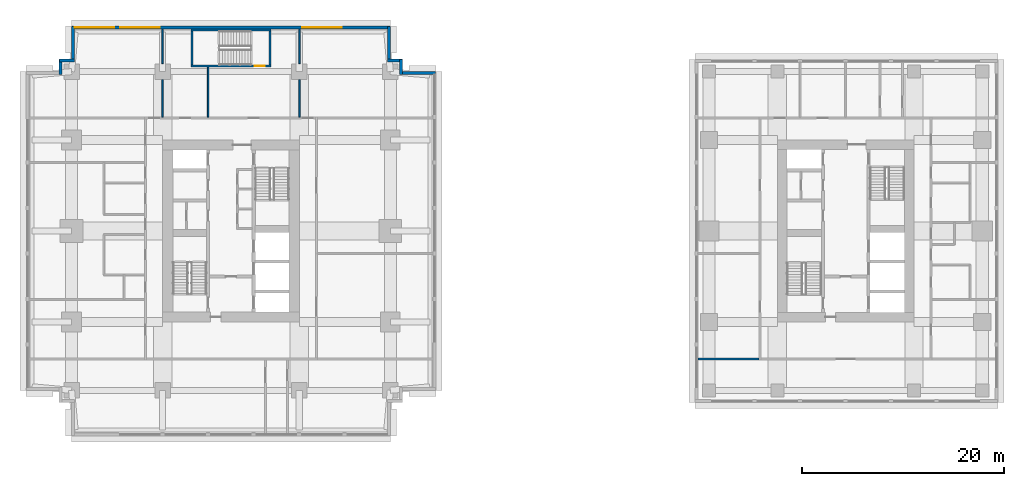
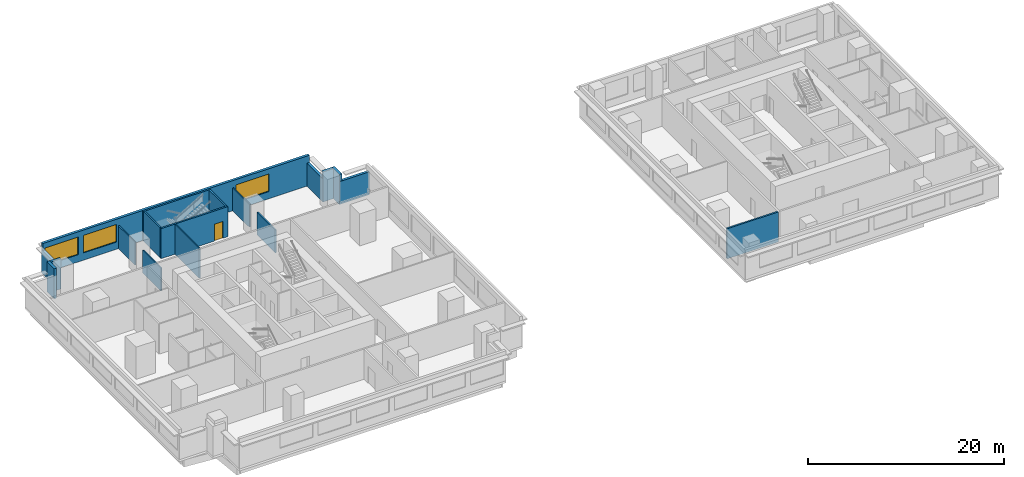
# One storey, part 5 of 11: 18 walls, 3 windows, 1 door, 4 openings.
"""IFC4 building model written with IfcOpenShell, lengths in metres."""

from ifc_helpers import new_model, si_unit, direction, frame, frame_2d, origin, place, context, subcontext, project, spatial, rectangle, extrude, material, layer, layer_set, type_object, element, fill, save


model = new_model("IFC4")

# Units and contexts
model_context = context("Model", 3, precision=1e-05, world=origin(), true_north=direction((0.0, 1.0)))
body_context = subcontext(model_context, "Body", "Model", "MODEL_VIEW")
ifc_project = project(units=[si_unit("LENGTHUNIT", "METRE"), si_unit("AREAUNIT", "SQUARE_METRE"), si_unit("VOLUMEUNIT", "CUBIC_METRE"), si_unit("PLANEANGLEUNIT", "RADIAN"), si_unit("MASSUNIT", "GRAM", prefix="KILO")], contexts=[model_context])

# Site, building, storey
site_placement = place(None, origin())
site = spatial("IfcSite", under=ifc_project, at=site_placement, CompositionType="ELEMENT")
building_placement = place(site_placement, origin())
building = spatial("IfcBuilding", under=site, at=building_placement, Name="Namib Vertical Campus", CompositionType="ELEMENT")
storey_placement = place(building_placement, frame((0.0, 0.0, 213.0)))
storey = spatial("IfcBuildingStorey", under=building, at=storey_placement, Name="L50", CompositionType="ELEMENT", Elevation=213.0)

# Walls
ifc_material_1 = material(Name="Concrete masonry", Category="masonry")
ifc_layer_1 = layer(ifc_material_1, 0.199951171875)
ifc_layer_set_1 = layer_set([ifc_layer_1], Name="Corridor wall 200")
wall_type_1 = type_object("IfcWallType", Name="Corridor wall 200", PredefinedType="SOLIDWALL", material=ifc_layer_set_1)
wall_1_placement = place(storey_placement, frame((66.39990234375, 7.60009765625, 0.0), z_axis=(0.0, 0.0, 1.0), x_axis=(1.0, 0.0, 0.0)))
element("IfcWall", 1, at=wall_1_placement, inside=storey, type_object=wall_type_1, Name="Partition B L50 BSW", PredefinedType="SOLIDWALL", context=body_context, shape_type="SweptSolid", body=[
    extrude(rectangle(XDim=6.050048828125, YDim=0.199951171875, at=frame_2d((3.02490234375, 0.0))), origin(), (0.0, 0.0, 1.0), 3.75),
])
ifc_material_2 = material(Name="Concrete C40/50", Category="concrete")
ifc_layer_2 = layer(ifc_material_2, 0.300048828125)
ifc_layer_set_2 = layer_set([ifc_layer_2], Name="Concrete C40/50")
wall_type_2 = type_object("IfcWallType", Name="External wall 300 board-marked concrete", PredefinedType="STANDARD", material=ifc_layer_set_2)
wall_2_placement = place(storey_placement, frame((40.47998046875, 35.85009765625, 0.0), z_axis=(0.0, 0.0, 1.0), x_axis=(-1.0, 0.0, 0.0)))
element("IfcWall", 2, at=wall_2_placement, inside=storey, type_object=wall_type_2, Name="External wall L50 F07", PredefinedType="STANDARD", context=body_context, shape_type="SweptSolid", body=[
    extrude(rectangle(XDim=3.534912109375, YDim=0.300048828125, at=frame_2d((1.767578125, 0.0))), origin(), (0.0, 0.0, 1.0), 2.85009765625),
])
for number, where, z_axis, x_axis, name in (
    (3, (37.074951171875, 35.719970703125, 0.0), (0.0, 0.0, 1.0), (0.0, 1.0, 0.0), "External wall L50 F08"),
    (4, (37.205078125, 37.074951171875, 0.0), (0.0, 0.0, 1.0), (-1.0, 0.0, 0.0), "External wall L50 F09"),
):
    element("IfcWall", number, at=place(storey_placement, frame(where, z_axis=z_axis, x_axis=x_axis)), inside=storey, type_object=wall_type_2, Name=name, PredefinedType="STANDARD", context=body_context, shape_type="SweptSolid", body=[
        extrude(rectangle(XDim=1.485107421875, YDim=0.300048828125, at=frame_2d((0.74267578125, 0.0))), origin(), (0.0, 0.0, 1.0), 3.75),
    ])
wall_3_placement = place(storey_placement, frame((35.85009765625, 36.945068359375, 0.0), z_axis=(0.0, 0.0, 1.0), x_axis=(0.0, 1.0, 0.0)))
element("IfcWall", 5, at=wall_3_placement, inside=storey, type_object=wall_type_2, Name="External wall L50 F10", PredefinedType="STANDARD", context=body_context, shape_type="SweptSolid", body=[
    extrude(rectangle(XDim=3.534912109375, YDim=0.300048828125, at=frame_2d((1.767578125, 0.0))), origin(), (0.0, 0.0, 1.0), 2.85009765625),
])

# Wall, openings, windows
wall_4_placement = place(storey_placement, frame((35.97998046875, 40.35009765625, 0.0), z_axis=(0.0, 0.0, 1.0), x_axis=(-1.0, 0.0, 0.0)))
wall_4 = element("IfcWall", 6, at=wall_4_placement, inside=storey, type_object=wall_type_2, Name="External wall L50 F11", PredefinedType="STANDARD", context=body_context, shape_type="SweptSolid", body=[
    extrude(rectangle(XDim=31.4599609375, YDim=0.300048828125, at=frame_2d((15.72998046875, 0.0))), origin(), (0.0, 0.0, 1.0), 3.75),
])
opening_1_placement = place(wall_4_placement, frame((27.280029296875, 0.0, 0.89990234375)))
opening_1 = element("IfcOpeningElement", 7, at=opening_1_placement, cuts=wall_4, Name="Opening W1", PredefinedType="OPENING", context=body_context, shape_type="SweptSolid", body=[
    extrude(rectangle(XDim=3.89990234375, YDim=2.199951171875, at=frame_2d((1.949951171875, 1.10009765625))), frame((0.0, 0.159912109375, 0.0), z_axis=(0.0, -1.0, 0.0), x_axis=(1.0, 0.0, 0.0)), (0.0, 0.0, 1.0), 0.320068359375),
])
opening_2_placement = place(wall_4_placement, frame((22.780029296875, 0.0, 0.89990234375)))
opening_2 = element("IfcOpeningElement", 8, at=opening_2_placement, cuts=wall_4, Name="Opening W1", PredefinedType="OPENING", context=body_context, shape_type="SweptSolid", body=[
    extrude(rectangle(XDim=3.89990234375, YDim=2.199951171875, at=frame_2d((1.949951171875, 1.10009765625))), frame((0.0, 0.159912109375, 0.0), z_axis=(0.0, -1.0, 0.0), x_axis=(1.0, 0.0, 0.0)), (0.0, 0.0, 1.0), 0.320068359375),
])
opening_3_placement = place(wall_4_placement, frame((4.780029296875, 0.0, 0.89990234375)))
opening_3 = element("IfcOpeningElement", 9, at=opening_3_placement, cuts=wall_4, Name="Opening W1", PredefinedType="OPENING", context=body_context, shape_type="SweptSolid", body=[
    extrude(rectangle(XDim=3.89990234375, YDim=2.199951171875, at=frame_2d((1.949951171875, 1.10009765625))), frame((0.0, 0.159912109375, 0.0), z_axis=(0.0, -1.0, 0.0), x_axis=(1.0, 0.0, 0.0)), (0.0, 0.0, 1.0), 0.320068359375),
])
ifc_material_3 = material(Name="Dark tinted glass in black aluminium frame", Category="aluminium")
window_type = type_object("IfcWindowType", Name="Ribbon window 3900x2200", PartitioningType="SINGLE_PANEL", PredefinedType="WINDOW", material=ifc_material_3)
window_1_placement = place(opening_1_placement, origin())
window_1 = element("IfcWindow", 10, at=window_1_placement, inside=storey, type_object=window_type, Name="Window W1 L50 F11-1", OverallHeight=2.199951171875, OverallWidth=3.89990234375, PartitioningType="SINGLE_PANEL", PredefinedType="WINDOW", context=body_context, shape_type="SweptSolid", body=[
    extrude(rectangle(XDim=3.89990234375, YDim=2.199951171875, at=frame_2d((1.949951171875, 1.10009765625))), frame((0.0, 0.030029296875, 0.0), z_axis=(0.0, -1.0, 0.0), x_axis=(1.0, 0.0, 0.0)), (0.0, 0.0, 1.0), 0.06005859375),
])
fill(opening_1, window_1)
window_2_placement = place(opening_2_placement, origin())
window_2 = element("IfcWindow", 11, at=window_2_placement, inside=storey, type_object=window_type, Name="Window W1 L50 F11-2", OverallHeight=2.199951171875, OverallWidth=3.89990234375, PartitioningType="SINGLE_PANEL", PredefinedType="WINDOW", context=body_context, shape_type="SweptSolid", body=[
    extrude(rectangle(XDim=3.89990234375, YDim=2.199951171875, at=frame_2d((1.949951171875, 1.10009765625))), frame((0.0, 0.030029296875, 0.0), z_axis=(0.0, -1.0, 0.0), x_axis=(1.0, 0.0, 0.0)), (0.0, 0.0, 1.0), 0.06005859375),
])
fill(opening_2, window_2)
window_3_placement = place(opening_3_placement, origin())
window_3 = element("IfcWindow", 12, at=window_3_placement, inside=storey, type_object=window_type, Name="Window W1 L50 F11-6", OverallHeight=2.199951171875, OverallWidth=3.89990234375, PartitioningType="SINGLE_PANEL", PredefinedType="WINDOW", context=body_context, shape_type="SweptSolid", body=[
    extrude(rectangle(XDim=3.89990234375, YDim=2.199951171875, at=frame_2d((1.949951171875, 1.10009765625))), frame((0.0, 0.030029296875, 0.0), z_axis=(0.0, -1.0, 0.0), x_axis=(1.0, 0.0, 0.0)), (0.0, 0.0, 1.0), 0.06005859375),
])
fill(opening_3, window_3)

# Walls
wall_5_placement = place(storey_placement, frame((4.64990234375, 40.47998046875, 0.0), z_axis=(0.0, 0.0, 1.0), x_axis=(0.0, -1.0, 0.0)))
element("IfcWall", 13, at=wall_5_placement, inside=storey, type_object=wall_type_2, Name="External wall L50 F12", PredefinedType="STANDARD", context=body_context, shape_type="SweptSolid", body=[
    extrude(rectangle(XDim=3.534912109375, YDim=0.300048828125, at=frame_2d((1.767578125, 0.0))), origin(), (0.0, 0.0, 1.0), 2.85009765625),
])
for number, where, z_axis, x_axis, name in (
    (14, (4.780029296875, 37.074951171875, 0.0), (0.0, 0.0, 1.0), (-1.0, 0.0, 0.0), "External wall L50 F13"),
    (15, (3.425048828125, 37.205078125, 0.0), (0.0, 0.0, 1.0), (0.0, -1.0, 0.0), "External wall L50 F14"),
):
    element("IfcWall", number, at=place(storey_placement, frame(where, z_axis=z_axis, x_axis=x_axis)), inside=storey, type_object=wall_type_2, Name=name, PredefinedType="STANDARD", context=body_context, shape_type="SweptSolid", body=[
        extrude(rectangle(XDim=1.485107421875, YDim=0.300048828125, at=frame_2d((0.74267578125, 0.0))), origin(), (0.0, 0.0, 1.0), 3.75),
    ])
ifc_material_4 = material(Name="Gypsum board on steel studs", Category="steel")
ifc_layer_3 = layer(ifc_material_4, 0.14990234375)
ifc_layer_set_3 = layer_set([ifc_layer_3], Name="Gypsum board on steel studs")
wall_type_3 = type_object("IfcWallType", Name="Partition 150", PredefinedType="PARTITIONING", material=ifc_layer_set_3)
wall_6_placement = place(storey_placement, frame((13.5, 31.5, 0.0), z_axis=(0.0, 0.0, 1.0), x_axis=(0.0, 1.0, 0.0)))
element("IfcWall", 16, at=wall_6_placement, inside=storey, type_object=wall_type_3, Name="Partition A L50 PN1", PredefinedType="PARTITIONING", context=body_context, shape_type="SweptSolid", body=[
    extrude(rectangle(XDim=3.705078125, YDim=0.14990234375, at=frame_2d((1.8525390625, 0.0))), origin(), (0.0, 0.0, 1.0), 2.85009765625),
])
wall_7_placement = place(storey_placement, frame((13.5, 36.794921875, 0.0), z_axis=(0.0, 0.0, 1.0), x_axis=(0.0, 1.0, 0.0)))
element("IfcWall", 17, at=wall_7_placement, inside=storey, type_object=wall_type_3, Name="Partition A L50 PN1", PredefinedType="PARTITIONING", context=body_context, shape_type="SweptSolid", body=[
    extrude(rectangle(XDim=3.405029296875, YDim=0.14990234375, at=frame_2d((1.70263671875, 0.0))), origin(), (0.0, 0.0, 1.0), 2.85009765625),
])
wall_8_placement = place(storey_placement, frame((18.0, 31.5, 0.0), z_axis=(0.0, 0.0, 1.0), x_axis=(0.0, 1.0, 0.0)))
element("IfcWall", 18, at=wall_8_placement, inside=storey, type_object=wall_type_3, Name="Partition A L50 PN2", PredefinedType="PARTITIONING", context=body_context, shape_type="SweptSolid", body=[
    extrude(rectangle(XDim=4.949951171875, YDim=0.14990234375, at=frame_2d((2.47509765625, 0.0))), origin(), (0.0, 0.0, 1.0), 3.75),
])
wall_9_placement = place(storey_placement, frame((27.0, 31.5, 0.0), z_axis=(0.0, 0.0, 1.0), x_axis=(0.0, 1.0, 0.0)))
element("IfcWall", 19, at=wall_9_placement, inside=storey, type_object=wall_type_3, Name="Partition A L50 PN3", PredefinedType="PARTITIONING", context=body_context, shape_type="SweptSolid", body=[
    extrude(rectangle(XDim=3.705078125, YDim=0.14990234375, at=frame_2d((1.8525390625, 0.0))), origin(), (0.0, 0.0, 1.0), 2.85009765625),
])
wall_10_placement = place(storey_placement, frame((27.0, 36.794921875, 0.0), z_axis=(0.0, 0.0, 1.0), x_axis=(0.0, 1.0, 0.0)))
element("IfcWall", 20, at=wall_10_placement, inside=storey, type_object=wall_type_3, Name="Partition A L50 PN3", PredefinedType="PARTITIONING", context=body_context, shape_type="SweptSolid", body=[
    extrude(rectangle(XDim=3.405029296875, YDim=0.14990234375, at=frame_2d((1.70263671875, 0.0))), origin(), (0.0, 0.0, 1.0), 2.85009765625),
])

# Wall, opening, door
ifc_material_5 = material(Name="Concrete C40/50", Category="concrete")
ifc_layer_4 = layer(ifc_material_5, 0.199951171875)
ifc_layer_set_4 = layer_set([ifc_layer_4], Name="Concrete C40/50")
wall_type_4 = type_object("IfcWallType", Name="Stair enclosure wall RC 200", PredefinedType="SOLIDWALL", material=ifc_layer_set_4)
wall_11_placement = place(storey_placement, frame((16.300048828125, 36.550048828125, 0.0), z_axis=(0.0, 0.0, 1.0), x_axis=(1.0, 0.0, 0.0)))
wall_11 = element("IfcWall", 21, at=wall_11_placement, inside=storey, type_object=wall_type_4, Name="Stair enclosure wall A-S3 L50 S", PredefinedType="SOLIDWALL", context=body_context, shape_type="SweptSolid", body=[
    extrude(rectangle(XDim=7.89990234375, YDim=0.199951171875, at=frame_2d((3.949951171875, 0.0))), origin(), (0.0, 0.0, 1.0), 3.75),
])
opening_4_placement = place(wall_11_placement, frame((6.300048828125, 0.0, 0.0)))
opening_4 = element("IfcOpeningElement", 22, at=opening_4_placement, cuts=wall_11, Name="Opening FD1", PredefinedType="OPENING", context=body_context, shape_type="SweptSolid", body=[
    extrude(rectangle(XDim=1.0, YDim=2.10009765625, at=frame_2d((0.5, 1.050048828125))), frame((0.0, 0.10986328125, 0.0), z_axis=(0.0, -1.0, 0.0), x_axis=(1.0, 0.0, 0.0)), (0.0, 0.0, 1.0), 0.219970703125),
])
ifc_material_6 = material(Name="Steel fire door", Category="steel")
door_type = type_object("IfcDoorType", Name="Fire door 1000x2100", OperationType="SINGLE_SWING_RIGHT", PredefinedType="DOOR", material=ifc_material_6)
door_placement = place(opening_4_placement, origin())
door = element("IfcDoor", 23, at=door_placement, inside=storey, type_object=door_type, Name="Stair door FD1 A L50 S3", OperationType="SINGLE_SWING_RIGHT", OverallHeight=2.10009765625, OverallWidth=1.0, PredefinedType="DOOR", context=body_context, shape_type="SweptSolid", body=[
    extrude(rectangle(XDim=1.0, YDim=2.10009765625, at=frame_2d((0.5, 1.050048828125))), frame((0.0, 0.02490234375, 0.0), z_axis=(0.0, -1.0, 0.0), x_axis=(1.0, 0.0, 0.0)), (0.0, 0.0, 1.0), 0.050048828125),
])
fill(opening_4, door)

# Walls
wall_12_placement = place(storey_placement, frame((16.300048828125, 40.10009765625, 0.0), z_axis=(0.0, 0.0, 1.0), x_axis=(1.0, 0.0, 0.0)))
element("IfcWall", 24, at=wall_12_placement, inside=storey, type_object=wall_type_4, Name="Stair enclosure wall A-S3 L50 N", PredefinedType="SOLIDWALL", context=body_context, shape_type="SweptSolid", body=[
    extrude(rectangle(XDim=7.89990234375, YDim=0.199951171875, at=frame_2d((3.949951171875, 0.0))), origin(), (0.0, 0.0, 1.0), 3.75),
])
for number, where, z_axis, x_axis, name in (
    (25, (16.39990234375, 36.64990234375, 0.0), (0.0, 0.0, 1.0), (0.0, 1.0, 0.0), "Stair enclosure wall A-S3 L50 W"),
    (26, (24.10009765625, 36.64990234375, 0.0), (0.0, 0.0, 1.0), (0.0, 1.0, 0.0), "Stair enclosure wall A-S3 L50 E"),
):
    element("IfcWall", number, at=place(storey_placement, frame(where, z_axis=z_axis, x_axis=x_axis)), inside=storey, type_object=wall_type_4, Name=name, PredefinedType="SOLIDWALL", context=body_context, shape_type="SweptSolid", body=[
        extrude(rectangle(XDim=3.35009765625, YDim=0.199951171875, at=frame_2d((1.675048828125, 0.0))), origin(), (0.0, 0.0, 1.0), 3.75),
    ])

save(model, "model.ifc")
